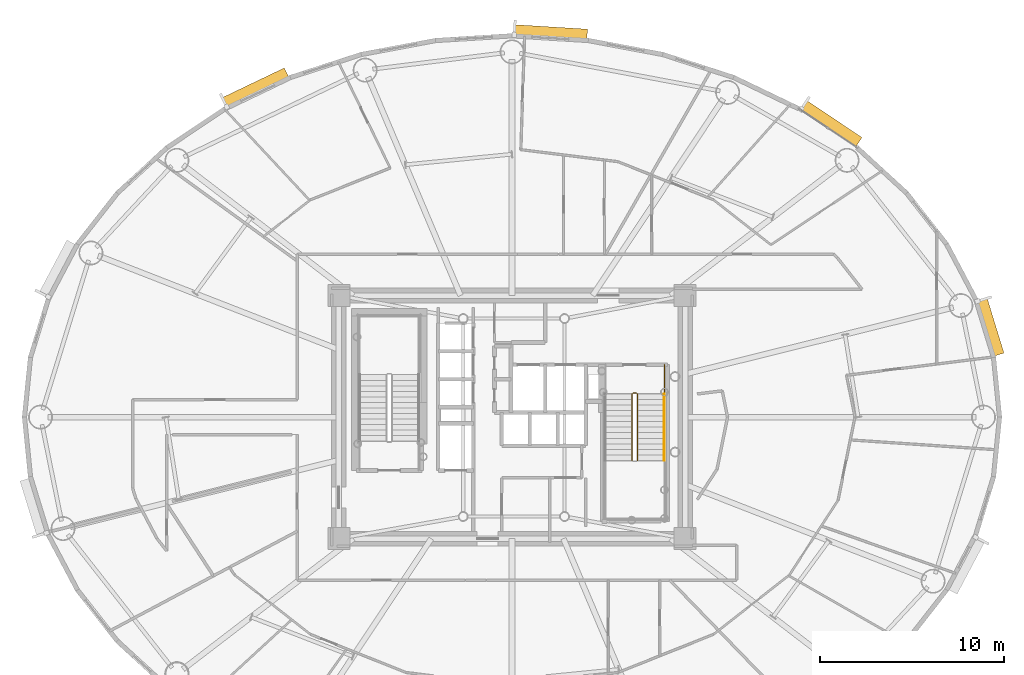
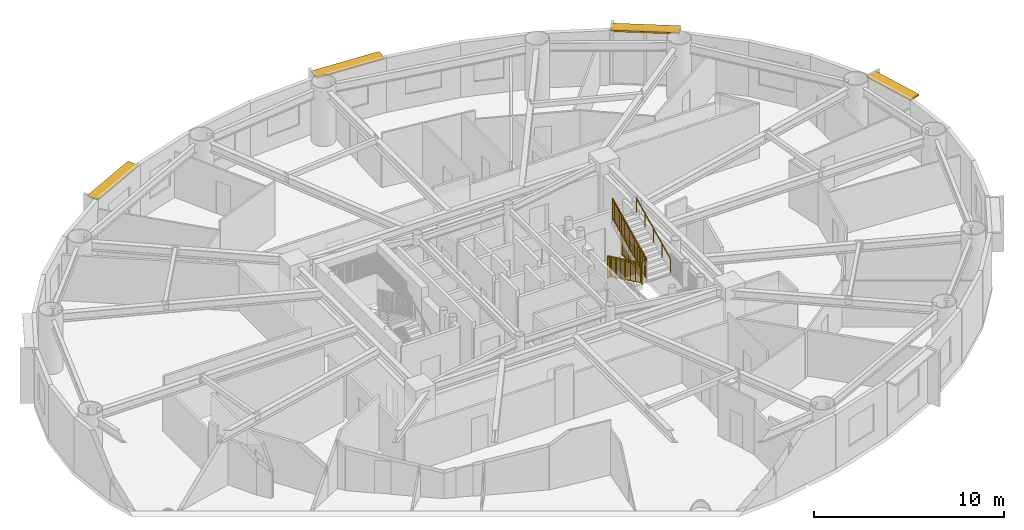
# One storey, part 19 of 19: 5 railings, 4 shading devices.
"""IFC4 building model written with IfcOpenShell, lengths in metres."""

from ifc_helpers import new_model, si_unit, direction, frame, origin, origin_2d, place, context, subcontext, project, spatial, rectangle, extrude, source, transform, mapped, material, layer, layer_set, type_object, element, save


model = new_model("IFC4")

# Units and contexts
model_context = context("Model", 3, precision=1e-05, world=origin(), true_north=direction((0.0, 1.0)))
body_context = subcontext(model_context, "Body", "Model", "MODEL_VIEW")
ifc_project = project(units=[si_unit("LENGTHUNIT", "METRE"), si_unit("AREAUNIT", "SQUARE_METRE"), si_unit("VOLUMEUNIT", "CUBIC_METRE"), si_unit("PLANEANGLEUNIT", "RADIAN"), si_unit("MASSUNIT", "GRAM", prefix="KILO")], contexts=[model_context])

# Site, building, storey
site_placement = place(None, origin())
site = spatial("IfcSite", under=ifc_project, at=site_placement, CompositionType="ELEMENT")
building_placement = place(site_placement, origin())
building = spatial("IfcBuilding", under=site, at=building_placement, Name="Linh Dai School and Residence Tower", CompositionType="ELEMENT")
storey_placement = place(building_placement, frame((0.0, 0.0, 193.64990234375)))
storey = spatial("IfcBuildingStorey", under=building, at=storey_placement, Name="L47", CompositionType="ELEMENT", Elevation=193.64990234375)

# Shading devices
ifc_material_1 = material(Name="Terracotta Ceramic Sunshade", Category="masonry")
ifc_layer = layer(ifc_material_1, 0.10009765625)
ifc_layer_set = layer_set([ifc_layer], Name="Terracotta Ceramic Sunshade")
shading_device_type = type_object("IfcShadingDeviceType", Name="SHD-TC-650", PredefinedType="USERDEFINED", material=ifc_layer_set)
shared_shape_1 = source(origin(), body_context, "Body", "SweptSolid", [
    extrude(rectangle(XDim=3.168212890625, YDim=0.64990234375, at=origin_2d()), origin(), (0.0, 0.0, 1.0), 0.10009765625),
])
shading_device_1_placement = place(storey_placement, frame((61.938720703125, 31.894775390625, 3.380126953125), z_axis=(0.0, 0.0, 1.0), x_axis=(0.293121969301, -0.956075055167, 0.0)))
element("IfcShadingDevice", 1, at=shading_device_1_placement, inside=storey, type_object=shading_device_type, Name="L47 Terracotta Horizontal Sunshade Band 02", ObjectType="SUNSHADE", PredefinedType="USERDEFINED", context=body_context, shape_type="MappedRepresentation", body=[
    mapped(shared_shape_1, transform((0.0, 0.0, 0.0), x_axis=(1.0, 0.0, 0.0), y_axis=(0.0, 1.0, 0.0), z_axis=(0.0, 0.0, 1.0), scale=1.0)),
])
shared_shape_2 = source(origin(), body_context, "Body", "SweptSolid", [
    extrude(rectangle(XDim=3.64794921875, YDim=0.64990234375, at=origin_2d()), origin(), (0.0, 0.0, 1.0), 0.10009765625),
])
shading_device_2_placement = place(storey_placement, frame((53.31103515625, 42.923828125, 3.380126953125), z_axis=(0.0, 0.0, 1.0), x_axis=(0.831228338651, -0.555931154932, 0.0)))
element("IfcShadingDevice", 2, at=shading_device_2_placement, inside=storey, type_object=shading_device_type, Name="L47 Terracotta Horizontal Sunshade Band 06", ObjectType="SUNSHADE", PredefinedType="USERDEFINED", context=body_context, shape_type="MappedRepresentation", body=[
    mapped(shared_shape_2, transform((0.0, 0.0, 0.0), x_axis=(1.0, 0.0, 0.0), y_axis=(0.0, 1.0, 0.0), z_axis=(0.0, 0.0, 1.0), scale=1.0)),
])
shared_shape_3 = source(origin(), body_context, "Body", "SweptSolid", [
    extrude(rectangle(XDim=3.987548828125, YDim=0.64990234375, at=origin_2d()), origin(), (0.0, 0.0, 1.0), 0.10009765625),
])
shading_device_3_placement = place(storey_placement, frame((38.09033203125, 47.86181640625, 3.380126953125), z_axis=(0.0, 0.0, 1.0), x_axis=(0.99810632076, -0.061512376467, 0.0)))
element("IfcShadingDevice", 3, at=shading_device_3_placement, inside=storey, type_object=shading_device_type, Name="L47 Terracotta Horizontal Sunshade Band 10", ObjectType="SUNSHADE", PredefinedType="USERDEFINED", context=body_context, shape_type="MappedRepresentation", body=[
    mapped(shared_shape_3, transform((0.0, 0.0, 0.0), x_axis=(1.0, 0.0, 0.0), y_axis=(0.0, 1.0, 0.0), z_axis=(0.0, 0.0, 1.0), scale=1.0)),
])
shared_shape_4 = source(origin(), body_context, "Body", "SweptSolid", [
    extrude(rectangle(XDim=3.773193359375, YDim=0.64990234375, at=origin_2d()), origin(), (0.0, 0.0, 1.0), 0.10009765625),
])
shading_device_4_placement = place(storey_placement, frame((22.0751953125, 44.850341796875, 3.380126953125), z_axis=(0.0, 0.0, 1.0), x_axis=(0.901569306779, 0.432634701653, 0.0)))
element("IfcShadingDevice", 4, at=shading_device_4_placement, inside=storey, type_object=shading_device_type, Name="L47 Terracotta Horizontal Sunshade Band 14", ObjectType="SUNSHADE", PredefinedType="USERDEFINED", context=body_context, shape_type="MappedRepresentation", body=[
    mapped(shared_shape_4, transform((0.0, 0.0, 0.0), x_axis=(1.0, 0.0, 0.0), y_axis=(0.0, 1.0, 0.0), z_axis=(0.0, 0.0, 1.0), scale=1.0)),
])

# Railings
ifc_material_2 = material(Name="Structural Steel S355JR", Category="steel")
railing_type_1 = type_object("IfcRailingType", Name="RL-ST-GUARD-1400", PredefinedType="GUARDRAIL", material=ifc_material_2)
shared_shape_5 = source(origin(), body_context, "Body", "SweptSolid", [
    extrude(rectangle(XDim=0.048095703125, YDim=0.048095703125, at=origin_2d()), frame((0.0, 0.0, 1.3759765625), z_axis=(0.0, 0.901262522062, 0.433273431364), x_axis=(-1.0, 0.0, 0.0)), (0.0, 0.0, 1.0), 3.994384765625),
    extrude(rectangle(XDim=0.048095703125, YDim=0.048095703125, at=origin_2d()), frame((0.0, 0.0, 0.10009765625), z_axis=(0.0, 0.901262522062, 0.433273431364), x_axis=(-1.0, 0.0, 0.0)), (0.0, 0.0, 1.0), 3.994384765625),
    extrude(rectangle(XDim=0.030029296875, YDim=0.030029296875, at=origin_2d()), frame((0.0, 0.0, 1.239990234375), z_axis=(0.0, 0.901262522062, 0.433273431364), x_axis=(-1.0, 0.0, 0.0)), (0.0, 0.0, 1.0), 3.994384765625),
    extrude(rectangle(XDim=0.02001953125, YDim=0.02001953125, at=origin_2d()), frame((0.0, 0.087890625, 0.142333984375)), (0.0, 0.0, 1.0), 1.251708984375),
    extrude(rectangle(XDim=0.02001953125, YDim=0.02001953125, at=origin_2d()), frame((0.0, 0.175537109375, 0.1845703125)), (0.0, 0.0, 1.0), 1.251708984375),
    extrude(rectangle(XDim=0.02001953125, YDim=0.02001953125, at=origin_2d()), frame((0.0, 0.263427734375, 0.226806640625)), (0.0, 0.0, 1.0), 1.251708984375),
    extrude(rectangle(XDim=0.02001953125, YDim=0.02001953125, at=origin_2d()), frame((0.0, 0.351318359375, 0.26904296875)), (0.0, 0.0, 1.0), 1.251708984375),
    extrude(rectangle(XDim=0.02001953125, YDim=0.02001953125, at=origin_2d()), frame((0.0, 0.43896484375, 0.311279296875)), (0.0, 0.0, 1.0), 1.251708984375),
    extrude(rectangle(XDim=0.02001953125, YDim=0.02001953125, at=origin_2d()), frame((0.0, 0.52685546875, 0.353271484375)), (0.0, 0.0, 1.0), 1.251708984375),
    extrude(rectangle(XDim=0.02001953125, YDim=0.02001953125, at=origin_2d()), frame((0.0, 0.61474609375, 0.3955078125)), (0.0, 0.0, 1.0), 1.251708984375),
    extrude(rectangle(XDim=0.02001953125, YDim=0.02001953125, at=origin_2d()), frame((0.0, 0.702392578125, 0.437744140625)), (0.0, 0.0, 1.0), 1.251708984375),
    extrude(rectangle(XDim=0.02001953125, YDim=0.02001953125, at=origin_2d()), frame((0.0, 0.790283203125, 0.47998046875)), (0.0, 0.0, 1.0), 1.251708984375),
    extrude(rectangle(XDim=0.02001953125, YDim=0.02001953125, at=origin_2d()), frame((0.0, 0.9658203125, 0.564453125)), (0.0, 0.0, 1.0), 1.251708984375),
    extrude(rectangle(XDim=0.02001953125, YDim=0.02001953125, at=origin_2d()), frame((0.0, 1.0537109375, 0.606689453125)), (0.0, 0.0, 1.0), 1.251708984375),
    extrude(rectangle(XDim=0.02001953125, YDim=0.02001953125, at=origin_2d()), frame((0.0, 1.1416015625, 0.64892578125)), (0.0, 0.0, 1.0), 1.251708984375),
    extrude(rectangle(XDim=0.02001953125, YDim=0.02001953125, at=origin_2d()), frame((0.0, 1.229248046875, 0.691162109375)), (0.0, 0.0, 1.0), 1.251708984375),
    extrude(rectangle(XDim=0.02001953125, YDim=0.02001953125, at=origin_2d()), frame((0.0, 1.317138671875, 0.7333984375)), (0.0, 0.0, 1.0), 1.251708984375),
    extrude(rectangle(XDim=0.02001953125, YDim=0.02001953125, at=origin_2d()), frame((0.0, 1.405029296875, 0.775390625)), (0.0, 0.0, 1.0), 1.251708984375),
    extrude(rectangle(XDim=0.02001953125, YDim=0.02001953125, at=origin_2d()), frame((0.0, 1.49267578125, 0.817626953125)), (0.0, 0.0, 1.0), 1.251708984375),
    extrude(rectangle(XDim=0.02001953125, YDim=0.02001953125, at=origin_2d()), frame((0.0, 1.58056640625, 0.85986328125)), (0.0, 0.0, 1.0), 1.251708984375),
    extrude(rectangle(XDim=0.02001953125, YDim=0.02001953125, at=origin_2d()), frame((0.0, 1.66845703125, 0.902099609375)), (0.0, 0.0, 1.0), 1.251708984375),
    extrude(rectangle(XDim=0.02001953125, YDim=0.02001953125, at=origin_2d()), frame((0.0, 1.756103515625, 0.9443359375)), (0.0, 0.0, 1.0), 1.251708984375),
    extrude(rectangle(XDim=0.02001953125, YDim=0.02001953125, at=origin_2d()), frame((0.0, 1.843994140625, 0.986572265625)), (0.0, 0.0, 1.0), 1.251708984375),
    extrude(rectangle(XDim=0.02001953125, YDim=0.02001953125, at=origin_2d()), frame((0.0, 1.931640625, 1.02880859375)), (0.0, 0.0, 1.0), 1.251708984375),
    extrude(rectangle(XDim=0.02001953125, YDim=0.02001953125, at=origin_2d()), frame((0.0, 2.01953125, 1.071044921875)), (0.0, 0.0, 1.0), 1.251708984375),
    extrude(rectangle(XDim=0.02001953125, YDim=0.02001953125, at=origin_2d()), frame((0.0, 2.107421875, 1.11328125)), (0.0, 0.0, 1.0), 1.251708984375),
    extrude(rectangle(XDim=0.02001953125, YDim=0.02001953125, at=origin_2d()), frame((0.0, 2.195068359375, 1.155517578125)), (0.0, 0.0, 1.0), 1.251708984375),
    extrude(rectangle(XDim=0.02001953125, YDim=0.02001953125, at=origin_2d()), frame((0.0, 2.282958984375, 1.197509765625)), (0.0, 0.0, 1.0), 1.251708984375),
    extrude(rectangle(XDim=0.02001953125, YDim=0.02001953125, at=origin_2d()), frame((0.0, 2.370849609375, 1.23974609375)), (0.0, 0.0, 1.0), 1.251708984375),
    extrude(rectangle(XDim=0.02001953125, YDim=0.02001953125, at=origin_2d()), frame((0.0, 2.45849609375, 1.281982421875)), (0.0, 0.0, 1.0), 1.251708984375),
    extrude(rectangle(XDim=0.02001953125, YDim=0.02001953125, at=origin_2d()), frame((0.0, 2.54638671875, 1.32421875)), (0.0, 0.0, 1.0), 1.251708984375),
    extrude(rectangle(XDim=0.02001953125, YDim=0.02001953125, at=origin_2d()), frame((0.0, 2.63427734375, 1.366455078125)), (0.0, 0.0, 1.0), 1.251708984375),
    extrude(rectangle(XDim=0.02001953125, YDim=0.02001953125, at=origin_2d()), frame((0.0, 2.809814453125, 1.450927734375)), (0.0, 0.0, 1.0), 1.251708984375),
    extrude(rectangle(XDim=0.02001953125, YDim=0.02001953125, at=origin_2d()), frame((0.0, 2.897705078125, 1.4931640625)), (0.0, 0.0, 1.0), 1.251708984375),
    extrude(rectangle(XDim=0.02001953125, YDim=0.02001953125, at=origin_2d()), frame((0.0, 2.9853515625, 1.535400390625)), (0.0, 0.0, 1.0), 1.251708984375),
    extrude(rectangle(XDim=0.02001953125, YDim=0.02001953125, at=origin_2d()), frame((0.0, 3.0732421875, 1.57763671875)), (0.0, 0.0, 1.0), 1.251708984375),
    extrude(rectangle(XDim=0.02001953125, YDim=0.02001953125, at=origin_2d()), frame((0.0, 3.1611328125, 1.61962890625)), (0.0, 0.0, 1.0), 1.251708984375),
    extrude(rectangle(XDim=0.02001953125, YDim=0.02001953125, at=origin_2d()), frame((0.0, 3.248779296875, 1.661865234375)), (0.0, 0.0, 1.0), 1.251708984375),
    extrude(rectangle(XDim=0.02001953125, YDim=0.02001953125, at=origin_2d()), frame((0.0, 3.336669921875, 1.7041015625)), (0.0, 0.0, 1.0), 1.251708984375),
    extrude(rectangle(XDim=0.02001953125, YDim=0.02001953125, at=origin_2d()), frame((0.0, 3.424560546875, 1.746337890625)), (0.0, 0.0, 1.0), 1.251708984375),
    extrude(rectangle(XDim=0.02001953125, YDim=0.02001953125, at=origin_2d()), frame((0.0, 3.51220703125, 1.78857421875)), (0.0, 0.0, 1.0), 1.251708984375),
    extrude(rectangle(XDim=0.0419921875, YDim=0.0419921875, at=origin_2d()), origin(), (0.0, 0.0, 1.0), 1.3759765625),
    extrude(rectangle(XDim=0.0419921875, YDim=0.0419921875, at=origin_2d()), frame((0.0, 0.89990234375, 0.4326171875)), (0.0, 0.0, 1.0), 1.3759765625),
    extrude(rectangle(XDim=0.0419921875, YDim=0.0419921875, at=origin_2d()), frame((0.0, 1.800048828125, 0.865234375)), (0.0, 0.0, 1.0), 1.3759765625),
    extrude(rectangle(XDim=0.0419921875, YDim=0.0419921875, at=origin_2d()), frame((0.0, 2.7001953125, 1.298095703125)), (0.0, 0.0, 1.0), 1.3759765625),
    extrude(rectangle(XDim=0.0419921875, YDim=0.0419921875, at=origin_2d()), frame((0.0, 3.60009765625, 1.730712890625)), (0.0, 0.0, 1.0), 1.3759765625),
])
railing_1_placement = place(storey_placement, frame((42.820068359375, 24.64990234375, 2.019287109375)))
element("IfcRailing", 5, at=railing_1_placement, inside=storey, type_object=railing_type_1, Name="L47 ST2 stair guard 6", PredefinedType="GUARDRAIL", context=body_context, shape_type="MappedRepresentation", body=[
    mapped(shared_shape_5, transform((0.0, 0.0, 0.0), x_axis=(1.0, 0.0, 0.0), y_axis=(0.0, 1.0, 0.0), z_axis=(0.0, 0.0, 1.0), scale=1.0)),
])
shared_shape_6 = source(origin(), body_context, "Body", "SweptSolid", [
    extrude(rectangle(XDim=0.048095703125, YDim=0.048095703125, at=origin_2d()), frame((0.0, 0.0, 1.3759765625), z_axis=(0.0, -0.901262522062, 0.433273431364), x_axis=(1.0, 0.0, 0.0)), (0.0, 0.0, 1.0), 3.994384765625),
    extrude(rectangle(XDim=0.048095703125, YDim=0.048095703125, at=origin_2d()), frame((0.0, 0.0, 0.10009765625), z_axis=(0.0, -0.901262522062, 0.433273431364), x_axis=(1.0, 0.0, 0.0)), (0.0, 0.0, 1.0), 3.994384765625),
    extrude(rectangle(XDim=0.030029296875, YDim=0.030029296875, at=origin_2d()), frame((0.0, 0.0, 1.239990234375), z_axis=(0.0, -0.901262522062, 0.433273431364), x_axis=(1.0, 0.0, 0.0)), (0.0, 0.0, 1.0), 3.994384765625),
    extrude(rectangle(XDim=0.02001953125, YDim=0.02001953125, at=origin_2d()), frame((0.0, -0.087890625, 0.142333984375)), (0.0, 0.0, 1.0), 1.251708984375),
    extrude(rectangle(XDim=0.02001953125, YDim=0.02001953125, at=origin_2d()), frame((0.0, -0.175537109375, 0.1845703125)), (0.0, 0.0, 1.0), 1.251708984375),
    extrude(rectangle(XDim=0.02001953125, YDim=0.02001953125, at=origin_2d()), frame((0.0, -0.263427734375, 0.226806640625)), (0.0, 0.0, 1.0), 1.251708984375),
    extrude(rectangle(XDim=0.02001953125, YDim=0.02001953125, at=origin_2d()), frame((0.0, -0.351318359375, 0.26904296875)), (0.0, 0.0, 1.0), 1.251708984375),
    extrude(rectangle(XDim=0.02001953125, YDim=0.02001953125, at=origin_2d()), frame((0.0, -0.43896484375, 0.311279296875)), (0.0, 0.0, 1.0), 1.251708984375),
    extrude(rectangle(XDim=0.02001953125, YDim=0.02001953125, at=origin_2d()), frame((0.0, -0.52685546875, 0.353271484375)), (0.0, 0.0, 1.0), 1.251708984375),
    extrude(rectangle(XDim=0.02001953125, YDim=0.02001953125, at=origin_2d()), frame((0.0, -0.61474609375, 0.3955078125)), (0.0, 0.0, 1.0), 1.251708984375),
    extrude(rectangle(XDim=0.02001953125, YDim=0.02001953125, at=origin_2d()), frame((0.0, -0.702392578125, 0.437744140625)), (0.0, 0.0, 1.0), 1.251708984375),
    extrude(rectangle(XDim=0.02001953125, YDim=0.02001953125, at=origin_2d()), frame((0.0, -0.790283203125, 0.47998046875)), (0.0, 0.0, 1.0), 1.251708984375),
    extrude(rectangle(XDim=0.02001953125, YDim=0.02001953125, at=origin_2d()), frame((0.0, -0.9658203125, 0.564453125)), (0.0, 0.0, 1.0), 1.251708984375),
    extrude(rectangle(XDim=0.02001953125, YDim=0.02001953125, at=origin_2d()), frame((0.0, -1.0537109375, 0.606689453125)), (0.0, 0.0, 1.0), 1.251708984375),
    extrude(rectangle(XDim=0.02001953125, YDim=0.02001953125, at=origin_2d()), frame((0.0, -1.1416015625, 0.64892578125)), (0.0, 0.0, 1.0), 1.251708984375),
    extrude(rectangle(XDim=0.02001953125, YDim=0.02001953125, at=origin_2d()), frame((0.0, -1.229248046875, 0.691162109375)), (0.0, 0.0, 1.0), 1.251708984375),
    extrude(rectangle(XDim=0.02001953125, YDim=0.02001953125, at=origin_2d()), frame((0.0, -1.317138671875, 0.7333984375)), (0.0, 0.0, 1.0), 1.251708984375),
    extrude(rectangle(XDim=0.02001953125, YDim=0.02001953125, at=origin_2d()), frame((0.0, -1.405029296875, 0.775390625)), (0.0, 0.0, 1.0), 1.251708984375),
    extrude(rectangle(XDim=0.02001953125, YDim=0.02001953125, at=origin_2d()), frame((0.0, -1.49267578125, 0.817626953125)), (0.0, 0.0, 1.0), 1.251708984375),
    extrude(rectangle(XDim=0.02001953125, YDim=0.02001953125, at=origin_2d()), frame((0.0, -1.58056640625, 0.85986328125)), (0.0, 0.0, 1.0), 1.251708984375),
    extrude(rectangle(XDim=0.02001953125, YDim=0.02001953125, at=origin_2d()), frame((0.0, -1.66845703125, 0.902099609375)), (0.0, 0.0, 1.0), 1.251708984375),
    extrude(rectangle(XDim=0.02001953125, YDim=0.02001953125, at=origin_2d()), frame((0.0, -1.756103515625, 0.9443359375)), (0.0, 0.0, 1.0), 1.251708984375),
    extrude(rectangle(XDim=0.02001953125, YDim=0.02001953125, at=origin_2d()), frame((0.0, -1.843994140625, 0.986572265625)), (0.0, 0.0, 1.0), 1.251708984375),
    extrude(rectangle(XDim=0.02001953125, YDim=0.02001953125, at=origin_2d()), frame((0.0, -1.931640625, 1.02880859375)), (0.0, 0.0, 1.0), 1.251708984375),
    extrude(rectangle(XDim=0.02001953125, YDim=0.02001953125, at=origin_2d()), frame((0.0, -2.01953125, 1.071044921875)), (0.0, 0.0, 1.0), 1.251708984375),
    extrude(rectangle(XDim=0.02001953125, YDim=0.02001953125, at=origin_2d()), frame((0.0, -2.107421875, 1.11328125)), (0.0, 0.0, 1.0), 1.251708984375),
    extrude(rectangle(XDim=0.02001953125, YDim=0.02001953125, at=origin_2d()), frame((0.0, -2.195068359375, 1.155517578125)), (0.0, 0.0, 1.0), 1.251708984375),
    extrude(rectangle(XDim=0.02001953125, YDim=0.02001953125, at=origin_2d()), frame((0.0, -2.282958984375, 1.197509765625)), (0.0, 0.0, 1.0), 1.251708984375),
    extrude(rectangle(XDim=0.02001953125, YDim=0.02001953125, at=origin_2d()), frame((0.0, -2.370849609375, 1.23974609375)), (0.0, 0.0, 1.0), 1.251708984375),
    extrude(rectangle(XDim=0.02001953125, YDim=0.02001953125, at=origin_2d()), frame((0.0, -2.45849609375, 1.281982421875)), (0.0, 0.0, 1.0), 1.251708984375),
    extrude(rectangle(XDim=0.02001953125, YDim=0.02001953125, at=origin_2d()), frame((0.0, -2.54638671875, 1.32421875)), (0.0, 0.0, 1.0), 1.251708984375),
    extrude(rectangle(XDim=0.02001953125, YDim=0.02001953125, at=origin_2d()), frame((0.0, -2.63427734375, 1.366455078125)), (0.0, 0.0, 1.0), 1.251708984375),
    extrude(rectangle(XDim=0.02001953125, YDim=0.02001953125, at=origin_2d()), frame((0.0, -2.809814453125, 1.450927734375)), (0.0, 0.0, 1.0), 1.251708984375),
    extrude(rectangle(XDim=0.02001953125, YDim=0.02001953125, at=origin_2d()), frame((0.0, -2.897705078125, 1.4931640625)), (0.0, 0.0, 1.0), 1.251708984375),
    extrude(rectangle(XDim=0.02001953125, YDim=0.02001953125, at=origin_2d()), frame((0.0, -2.9853515625, 1.535400390625)), (0.0, 0.0, 1.0), 1.251708984375),
    extrude(rectangle(XDim=0.02001953125, YDim=0.02001953125, at=origin_2d()), frame((0.0, -3.0732421875, 1.57763671875)), (0.0, 0.0, 1.0), 1.251708984375),
    extrude(rectangle(XDim=0.02001953125, YDim=0.02001953125, at=origin_2d()), frame((0.0, -3.1611328125, 1.61962890625)), (0.0, 0.0, 1.0), 1.251708984375),
    extrude(rectangle(XDim=0.02001953125, YDim=0.02001953125, at=origin_2d()), frame((0.0, -3.248779296875, 1.661865234375)), (0.0, 0.0, 1.0), 1.251708984375),
    extrude(rectangle(XDim=0.02001953125, YDim=0.02001953125, at=origin_2d()), frame((0.0, -3.336669921875, 1.7041015625)), (0.0, 0.0, 1.0), 1.251708984375),
    extrude(rectangle(XDim=0.02001953125, YDim=0.02001953125, at=origin_2d()), frame((0.0, -3.424560546875, 1.746337890625)), (0.0, 0.0, 1.0), 1.251708984375),
    extrude(rectangle(XDim=0.02001953125, YDim=0.02001953125, at=origin_2d()), frame((0.0, -3.51220703125, 1.78857421875)), (0.0, 0.0, 1.0), 1.251708984375),
    extrude(rectangle(XDim=0.0419921875, YDim=0.0419921875, at=origin_2d()), origin(), (0.0, 0.0, 1.0), 1.3759765625),
    extrude(rectangle(XDim=0.0419921875, YDim=0.0419921875, at=origin_2d()), frame((0.0, -0.89990234375, 0.4326171875)), (0.0, 0.0, 1.0), 1.3759765625),
    extrude(rectangle(XDim=0.0419921875, YDim=0.0419921875, at=origin_2d()), frame((0.0, -1.800048828125, 0.865234375)), (0.0, 0.0, 1.0), 1.3759765625),
    extrude(rectangle(XDim=0.0419921875, YDim=0.0419921875, at=origin_2d()), frame((0.0, -2.7001953125, 1.298095703125)), (0.0, 0.0, 1.0), 1.3759765625),
    extrude(rectangle(XDim=0.0419921875, YDim=0.0419921875, at=origin_2d()), frame((0.0, -3.60009765625, 1.730712890625)), (0.0, 0.0, 1.0), 1.3759765625),
])
railing_2_placement = place(storey_placement, frame((42.52001953125, 28.25, 0.144287109375)))
element("IfcRailing", 6, at=railing_2_placement, inside=storey, type_object=railing_type_1, Name="L47 ST2 stair guard 1", PredefinedType="GUARDRAIL", context=body_context, shape_type="MappedRepresentation", body=[
    mapped(shared_shape_6, transform((0.0, 0.0, 0.0), x_axis=(1.0, 0.0, 0.0), y_axis=(0.0, 1.0, 0.0), z_axis=(0.0, 0.0, 1.0), scale=1.0)),
])
ifc_material_3 = material(Name="Brushed Stainless Steel Handrail", Category="steel")
railing_type_2 = type_object("IfcRailingType", Name="RL-ST-HANDRAIL-900", PredefinedType="HANDRAIL", material=ifc_material_3)
shared_shape_7 = source(origin(), body_context, "Body", "SweptSolid", [
    extrude(rectangle(XDim=0.048095703125, YDim=0.048095703125, at=origin_2d()), frame((0.0, 0.0, 0.8759765625), z_axis=(0.0, 0.901262522062, 0.433273431364), x_axis=(-1.0, 0.0, 0.0)), (0.0, 0.0, 1.0), 3.994384765625),
    extrude(rectangle(XDim=0.0419921875, YDim=0.0419921875, at=origin_2d()), origin(), (0.0, 0.0, 1.0), 0.8759765625),
    extrude(rectangle(XDim=0.0419921875, YDim=0.0419921875, at=origin_2d()), frame((0.0, 0.89990234375, 0.4326171875)), (0.0, 0.0, 1.0), 0.8759765625),
    extrude(rectangle(XDim=0.0419921875, YDim=0.0419921875, at=origin_2d()), frame((0.0, 1.800048828125, 0.865234375)), (0.0, 0.0, 1.0), 0.8759765625),
    extrude(rectangle(XDim=0.0419921875, YDim=0.0419921875, at=origin_2d()), frame((0.0, 2.7001953125, 1.298095703125)), (0.0, 0.0, 1.0), 0.8759765625),
    extrude(rectangle(XDim=0.0419921875, YDim=0.0419921875, at=origin_2d()), frame((0.0, 3.60009765625, 1.730712890625)), (0.0, 0.0, 1.0), 0.8759765625),
])
railing_3_placement = place(storey_placement, frame((44.27001953125, 24.64990234375, 2.019287109375)))
element("IfcRailing", 7, at=railing_3_placement, inside=storey, type_object=railing_type_2, Name="L47 ST2 stair handrail 2", PredefinedType="HANDRAIL", context=body_context, shape_type="MappedRepresentation", body=[
    mapped(shared_shape_7, transform((0.0, 0.0, 0.0), x_axis=(1.0, 0.0, 0.0), y_axis=(0.0, 1.0, 0.0), z_axis=(0.0, 0.0, 1.0), scale=1.0)),
])
shared_shape_8 = source(origin(), body_context, "Body", "SweptSolid", [
    extrude(rectangle(XDim=0.048095703125, YDim=0.048095703125, at=origin_2d()), frame((0.0, 0.0, 1.3759765625), z_axis=(1.0, 0.0, 0.0), x_axis=(0.0, 1.0, 0.0)), (0.0, 0.0, 1.0), 0.199951171875),
    extrude(rectangle(XDim=0.048095703125, YDim=0.048095703125, at=origin_2d()), frame((0.0, 0.0, 0.10009765625), z_axis=(1.0, 0.0, 0.0), x_axis=(0.0, 1.0, 0.0)), (0.0, 0.0, 1.0), 0.199951171875),
    extrude(rectangle(XDim=0.030029296875, YDim=0.030029296875, at=origin_2d()), frame((0.0, 0.0, 1.239990234375), z_axis=(1.0, 0.0, 0.0), x_axis=(0.0, 1.0, 0.0)), (0.0, 0.0, 1.0), 0.199951171875),
    extrude(rectangle(XDim=0.0419921875, YDim=0.0419921875, at=origin_2d()), origin(), (0.0, 0.0, 1.0), 1.3759765625),
    extrude(rectangle(XDim=0.0419921875, YDim=0.0419921875, at=origin_2d()), frame((0.199951171875, 0.0, 0.0)), (0.0, 0.0, 1.0), 1.3759765625),
])
railing_4_placement = place(storey_placement, frame((42.570068359375, 28.300048828125, 0.0)))
element("IfcRailing", 8, at=railing_4_placement, inside=storey, type_object=railing_type_1, Name="L47 ST2 stair guard 7", PredefinedType="GUARDRAIL", context=body_context, shape_type="MappedRepresentation", body=[
    mapped(shared_shape_8, transform((0.0, 0.0, 0.0), x_axis=(1.0, 0.0, 0.0), y_axis=(0.0, 1.0, 0.0), z_axis=(0.0, 0.0, 1.0), scale=1.0)),
])
shared_shape_9 = source(origin(), body_context, "Body", "SweptSolid", [
    extrude(rectangle(XDim=0.048095703125, YDim=0.048095703125, at=origin_2d()), frame((0.0, 0.0, 1.3759765625), z_axis=(0.0, -1.0, 0.0), x_axis=(1.0, 0.0, 0.0)), (0.0, 0.0, 1.0), 1.60009765625),
    extrude(rectangle(XDim=0.048095703125, YDim=0.048095703125, at=origin_2d()), frame((0.0, 0.0, 0.10009765625), z_axis=(0.0, -1.0, 0.0), x_axis=(1.0, 0.0, 0.0)), (0.0, 0.0, 1.0), 1.60009765625),
    extrude(rectangle(XDim=0.030029296875, YDim=0.030029296875, at=origin_2d()), frame((0.0, 0.0, 1.239990234375), z_axis=(0.0, -1.0, 0.0), x_axis=(1.0, 0.0, 0.0)), (0.0, 0.0, 1.0), 1.60009765625),
    extrude(rectangle(XDim=0.02001953125, YDim=0.02001953125, at=origin_2d()), frame((0.0, -0.09423828125, 0.10009765625)), (0.0, 0.0, 1.0), 1.251708984375),
    extrude(rectangle(XDim=0.02001953125, YDim=0.02001953125, at=origin_2d()), frame((0.0, -0.188232421875, 0.10009765625)), (0.0, 0.0, 1.0), 1.251708984375),
    extrude(rectangle(XDim=0.02001953125, YDim=0.02001953125, at=origin_2d()), frame((0.0, -0.282470703125, 0.10009765625)), (0.0, 0.0, 1.0), 1.251708984375),
    extrude(rectangle(XDim=0.02001953125, YDim=0.02001953125, at=origin_2d()), frame((0.0, -0.37646484375, 0.10009765625)), (0.0, 0.0, 1.0), 1.251708984375),
    extrude(rectangle(XDim=0.02001953125, YDim=0.02001953125, at=origin_2d()), frame((0.0, -0.470703125, 0.10009765625)), (0.0, 0.0, 1.0), 1.251708984375),
    extrude(rectangle(XDim=0.02001953125, YDim=0.02001953125, at=origin_2d()), frame((0.0, -0.564697265625, 0.10009765625)), (0.0, 0.0, 1.0), 1.251708984375),
    extrude(rectangle(XDim=0.02001953125, YDim=0.02001953125, at=origin_2d()), frame((0.0, -0.658935546875, 0.10009765625)), (0.0, 0.0, 1.0), 1.251708984375),
    extrude(rectangle(XDim=0.02001953125, YDim=0.02001953125, at=origin_2d()), frame((0.0, -0.7529296875, 0.10009765625)), (0.0, 0.0, 1.0), 1.251708984375),
    extrude(rectangle(XDim=0.02001953125, YDim=0.02001953125, at=origin_2d()), frame((0.0, -0.84716796875, 0.10009765625)), (0.0, 0.0, 1.0), 1.251708984375),
    extrude(rectangle(XDim=0.02001953125, YDim=0.02001953125, at=origin_2d()), frame((0.0, -0.941162109375, 0.10009765625)), (0.0, 0.0, 1.0), 1.251708984375),
    extrude(rectangle(XDim=0.02001953125, YDim=0.02001953125, at=origin_2d()), frame((0.0, -1.035400390625, 0.10009765625)), (0.0, 0.0, 1.0), 1.251708984375),
    extrude(rectangle(XDim=0.02001953125, YDim=0.02001953125, at=origin_2d()), frame((0.0, -1.12939453125, 0.10009765625)), (0.0, 0.0, 1.0), 1.251708984375),
    extrude(rectangle(XDim=0.02001953125, YDim=0.02001953125, at=origin_2d()), frame((0.0, -1.2236328125, 0.10009765625)), (0.0, 0.0, 1.0), 1.251708984375),
    extrude(rectangle(XDim=0.02001953125, YDim=0.02001953125, at=origin_2d()), frame((0.0, -1.317626953125, 0.10009765625)), (0.0, 0.0, 1.0), 1.251708984375),
    extrude(rectangle(XDim=0.02001953125, YDim=0.02001953125, at=origin_2d()), frame((0.0, -1.411865234375, 0.10009765625)), (0.0, 0.0, 1.0), 1.251708984375),
    extrude(rectangle(XDim=0.02001953125, YDim=0.02001953125, at=origin_2d()), frame((0.0, -1.505859375, 0.10009765625)), (0.0, 0.0, 1.0), 1.251708984375),
    extrude(rectangle(XDim=0.0419921875, YDim=0.0419921875, at=origin_2d()), origin(), (0.0, 0.0, 1.0), 1.3759765625),
    extrude(rectangle(XDim=0.0419921875, YDim=0.0419921875, at=origin_2d()), frame((0.0, -0.800048828125, 0.0)), (0.0, 0.0, 1.0), 1.3759765625),
    extrude(rectangle(XDim=0.0419921875, YDim=0.0419921875, at=origin_2d()), frame((0.0, -1.60009765625, 0.0)), (0.0, 0.0, 1.0), 1.3759765625),
])
railing_5_placement = place(storey_placement, frame((44.27001953125, 29.85009765625, 0.0)))
element("IfcRailing", 9, at=railing_5_placement, inside=storey, type_object=railing_type_1, Name="L47 ST2 stair guard 9", PredefinedType="GUARDRAIL", context=body_context, shape_type="MappedRepresentation", body=[
    mapped(shared_shape_9, transform((0.0, 0.0, 0.0), x_axis=(1.0, 0.0, 0.0), y_axis=(0.0, 1.0, 0.0), z_axis=(0.0, 0.0, 1.0), scale=1.0)),
])

save(model, "model.ifc")
